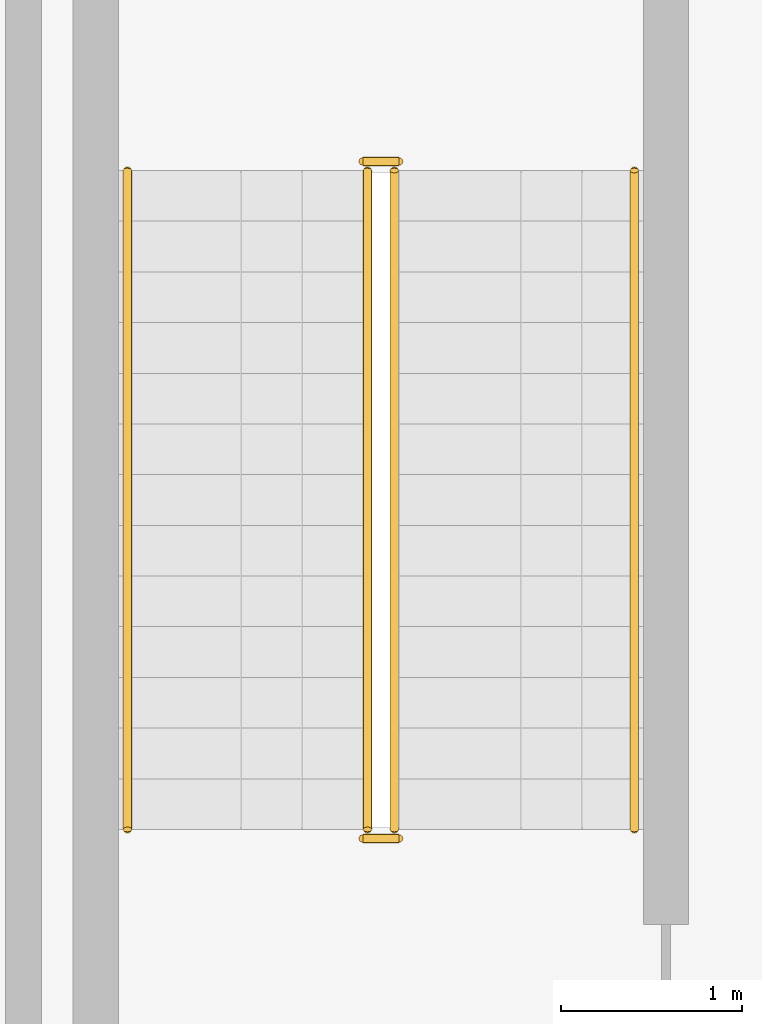
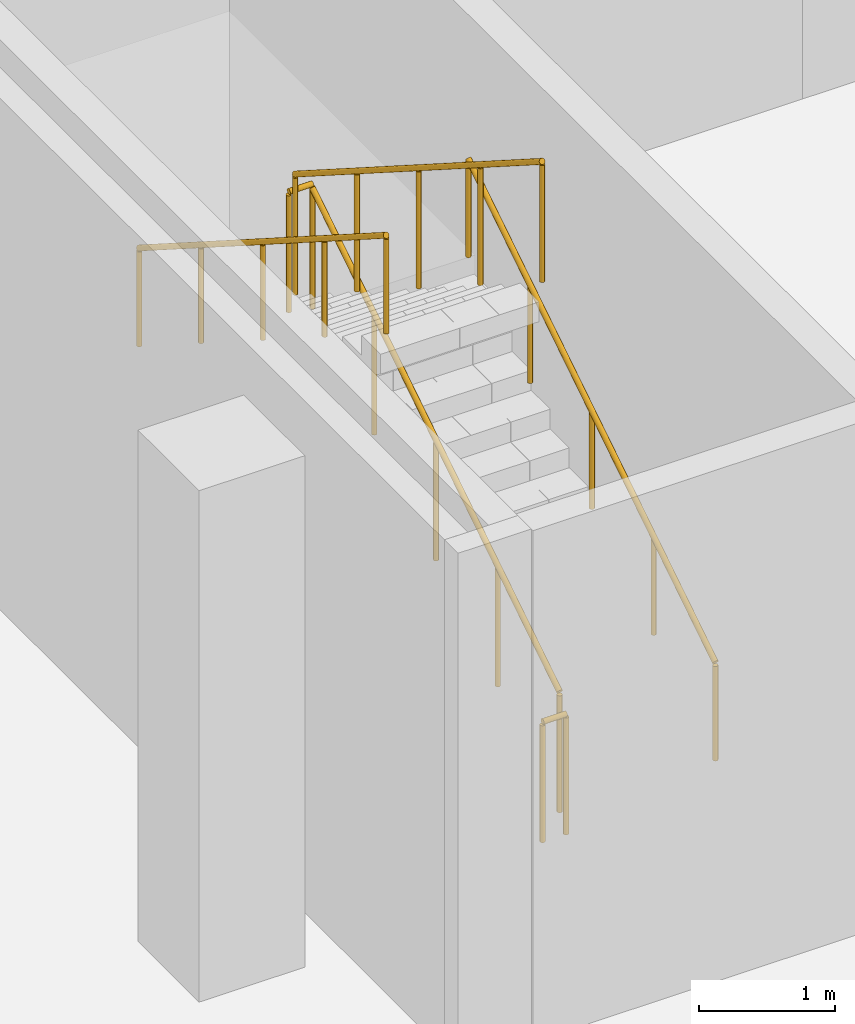
# One storey, part 19 of 20: 6 railings.
"""IFC4 building model written with IfcOpenShell, lengths in metres."""

from ifc_helpers import new_model, si_unit, direction, frame, origin, origin_2d, place, context, subcontext, project, spatial, circle, extrude, material, type_object, element, save


model = new_model("IFC4")

# Units and contexts
model_context = context("Model", 3, precision=1e-05, world=origin(), true_north=direction((0.0, 1.0)))
body_context = subcontext(model_context, "Body", "Model", "MODEL_VIEW")
ifc_project = project(units=[si_unit("LENGTHUNIT", "METRE"), si_unit("AREAUNIT", "SQUARE_METRE"), si_unit("VOLUMEUNIT", "CUBIC_METRE"), si_unit("PLANEANGLEUNIT", "RADIAN"), si_unit("MASSUNIT", "GRAM", prefix="KILO")], contexts=[model_context])

# Site, building, storey
site_placement = place(None, origin())
site = spatial("IfcSite", under=ifc_project, at=site_placement, CompositionType="ELEMENT")
building_placement = place(site_placement, origin())
building = spatial("IfcBuilding", under=site, at=building_placement, Name="Cantera Rosa Tower", CompositionType="ELEMENT")
storey_placement = place(building_placement, frame((0.0, 0.0, -5.0)))
storey = spatial("IfcBuildingStorey", under=building, at=storey_placement, Name="B1", CompositionType="ELEMENT", Elevation=-5.0)

# Railings
ifc_material_1 = material(Name="Steel S355J2 (EN 10025-2)", Category="steel")
railing_type_1 = type_object("IfcRailingType", Name="STAIR GUARD 1100", PredefinedType="GUARDRAIL", material=ifc_material_1)
railing_1_placement = place(storey_placement, frame((-30.65087890625, 21.125, 0.178466796875)))
element("IfcRailing", 1, at=railing_1_placement, inside=storey, type_object=railing_type_1, Name="B1 ST-NW stair guard 1", PredefinedType="GUARDRAIL", context=body_context, shape_type="SweptSolid", body=[
    extrude(circle(Radius=0.02392578125, at=origin_2d()), frame((0.0, 0.0, 1.076171875), z_axis=(0.0, 0.843111507901, 0.53773877045), x_axis=(-1.0, 0.0, 0.0)), (0.0, 0.0, 1.0), 4.317138671875),
    extrude(circle(Radius=0.02099609375, at=origin_2d()), origin(), (0.0, 0.0, 1.0), 1.052001953125),
    extrude(circle(Radius=0.02099609375, at=origin_2d()), frame((0.0, 0.909912109375, 0.580322265625)), (0.0, 0.0, 1.0), 1.052001953125),
    extrude(circle(Radius=0.02099609375, at=origin_2d()), frame((0.0, 1.81982421875, 1.16064453125)), (0.0, 0.0, 1.0), 1.052001953125),
    extrude(circle(Radius=0.02099609375, at=origin_2d()), frame((0.0, 2.72998046875, 1.7412109375)), (0.0, 0.0, 1.0), 1.052001953125),
    extrude(circle(Radius=0.02099609375, at=origin_2d()), frame((0.0, 3.639892578125, 2.321533203125)), (0.0, 0.0, 1.0), 1.052001953125),
])
railing_2_placement = place(storey_placement, frame((-30.625, 24.81494140625, 2.5)))
element("IfcRailing", 2, at=railing_2_placement, inside=storey, type_object=railing_type_1, Name="B1 ST-NW stair guard 2", PredefinedType="GUARDRAIL", context=body_context, shape_type="SweptSolid", body=[
    extrude(circle(Radius=0.02392578125, at=origin_2d()), frame((0.0, 0.0, 1.076171875), z_axis=(-1.0, 0.0, 0.0), x_axis=(0.0, -1.0, 0.0)), (0.0, 0.0, 1.0), 0.199951171875),
    extrude(circle(Radius=0.02099609375, at=origin_2d()), origin(), (0.0, 0.0, 1.0), 1.052001953125),
    extrude(circle(Radius=0.02099609375, at=origin_2d()), frame((-0.199951171875, 0.0, 0.0)), (0.0, 0.0, 1.0), 1.052001953125),
])
railing_3_placement = place(storey_placement, frame((-30.799072265625, 24.764892578125, 2.678466796875)))
element("IfcRailing", 3, at=railing_3_placement, inside=storey, type_object=railing_type_1, Name="B1 ST-NW stair guard 3", PredefinedType="GUARDRAIL", context=body_context, shape_type="SweptSolid", body=[
    extrude(circle(Radius=0.02392578125, at=origin_2d()), frame((0.0, 0.0, 1.076171875), z_axis=(0.0, -0.843111507901, 0.53773877045), x_axis=(1.0, 0.0, 0.0)), (0.0, 0.0, 1.0), 4.317138671875),
    extrude(circle(Radius=0.02099609375, at=origin_2d()), origin(), (0.0, 0.0, 1.0), 1.052001953125),
    extrude(circle(Radius=0.02099609375, at=origin_2d()), frame((0.0, -0.909912109375, 0.580322265625)), (0.0, 0.0, 1.0), 1.052001953125),
    extrude(circle(Radius=0.02099609375, at=origin_2d()), frame((0.0, -1.81982421875, 1.16064453125)), (0.0, 0.0, 1.0), 1.052001953125),
    extrude(circle(Radius=0.02099609375, at=origin_2d()), frame((0.0, -2.72998046875, 1.7412109375)), (0.0, 0.0, 1.0), 1.052001953125),
    extrude(circle(Radius=0.02099609375, at=origin_2d()), frame((0.0, -3.639892578125, 2.321533203125)), (0.0, 0.0, 1.0), 1.052001953125),
])
railing_4_placement = place(storey_placement, frame((-30.625, 21.074951171875, 0.0)))
element("IfcRailing", 4, at=railing_4_placement, inside=storey, type_object=railing_type_1, Name="B1 ST-NW stair guard 4", PredefinedType="GUARDRAIL", context=body_context, shape_type="SweptSolid", body=[
    extrude(circle(Radius=0.02392578125, at=origin_2d()), frame((0.0, 0.0, 1.076171875), z_axis=(-1.0, 0.0, 0.0), x_axis=(0.0, -1.0, 0.0)), (0.0, 0.0, 1.0), 0.199951171875),
    extrude(circle(Radius=0.02099609375, at=origin_2d()), origin(), (0.0, 0.0, 1.0), 1.052001953125),
    extrude(circle(Radius=0.02099609375, at=origin_2d()), frame((-0.199951171875, 0.0, 0.0)), (0.0, 0.0, 1.0), 1.052001953125),
])
ifc_material_2 = material(Name="Steel S355J2 (EN 10025-2)", Category="steel")
railing_type_2 = type_object("IfcRailingType", Name="STAIR HANDRAIL 900", PredefinedType="HANDRAIL", material=ifc_material_2)
railing_5_placement = place(storey_placement, frame((-29.324951171875, 21.125, 0.178466796875)))
element("IfcRailing", 5, at=railing_5_placement, inside=storey, type_object=railing_type_2, Name="B1 ST-NW stair handrail 1", PredefinedType="HANDRAIL", context=body_context, shape_type="SweptSolid", body=[
    extrude(circle(Radius=0.02392578125, at=origin_2d()), frame((0.0, 0.0, 0.8759765625), z_axis=(0.0, 0.843111507901, 0.53773877045), x_axis=(-1.0, 0.0, 0.0)), (0.0, 0.0, 1.0), 4.317138671875),
    extrude(circle(Radius=0.02099609375, at=origin_2d()), origin(), (0.0, 0.0, 1.0), 0.851806640625),
    extrude(circle(Radius=0.02099609375, at=origin_2d()), frame((0.0, 0.909912109375, 0.580322265625)), (0.0, 0.0, 1.0), 0.851806640625),
    extrude(circle(Radius=0.02099609375, at=origin_2d()), frame((0.0, 1.81982421875, 1.16064453125)), (0.0, 0.0, 1.0), 0.851806640625),
    extrude(circle(Radius=0.02099609375, at=origin_2d()), frame((0.0, 2.72998046875, 1.7412109375)), (0.0, 0.0, 1.0), 0.851806640625),
    extrude(circle(Radius=0.02099609375, at=origin_2d()), frame((0.0, 3.639892578125, 2.321533203125)), (0.0, 0.0, 1.0), 0.851806640625),
])
railing_6_placement = place(storey_placement, frame((-32.125, 24.764892578125, 2.678466796875)))
element("IfcRailing", 6, at=railing_6_placement, inside=storey, type_object=railing_type_2, Name="B1 ST-NW stair handrail 2", PredefinedType="HANDRAIL", context=body_context, shape_type="SweptSolid", body=[
    extrude(circle(Radius=0.02392578125, at=origin_2d()), frame((0.0, 0.0, 0.8759765625), z_axis=(0.0, -0.843111507901, 0.53773877045), x_axis=(1.0, 0.0, 0.0)), (0.0, 0.0, 1.0), 4.317138671875),
    extrude(circle(Radius=0.02099609375, at=origin_2d()), origin(), (0.0, 0.0, 1.0), 0.851806640625),
    extrude(circle(Radius=0.02099609375, at=origin_2d()), frame((0.0, -0.909912109375, 0.580322265625)), (0.0, 0.0, 1.0), 0.851806640625),
    extrude(circle(Radius=0.02099609375, at=origin_2d()), frame((0.0, -1.81982421875, 1.16064453125)), (0.0, 0.0, 1.0), 0.851806640625),
    extrude(circle(Radius=0.02099609375, at=origin_2d()), frame((0.0, -2.72998046875, 1.7412109375)), (0.0, 0.0, 1.0), 0.851806640625),
    extrude(circle(Radius=0.02099609375, at=origin_2d()), frame((0.0, -3.639892578125, 2.321533203125)), (0.0, 0.0, 1.0), 0.851806640625),
])

save(model, "model.ifc")
